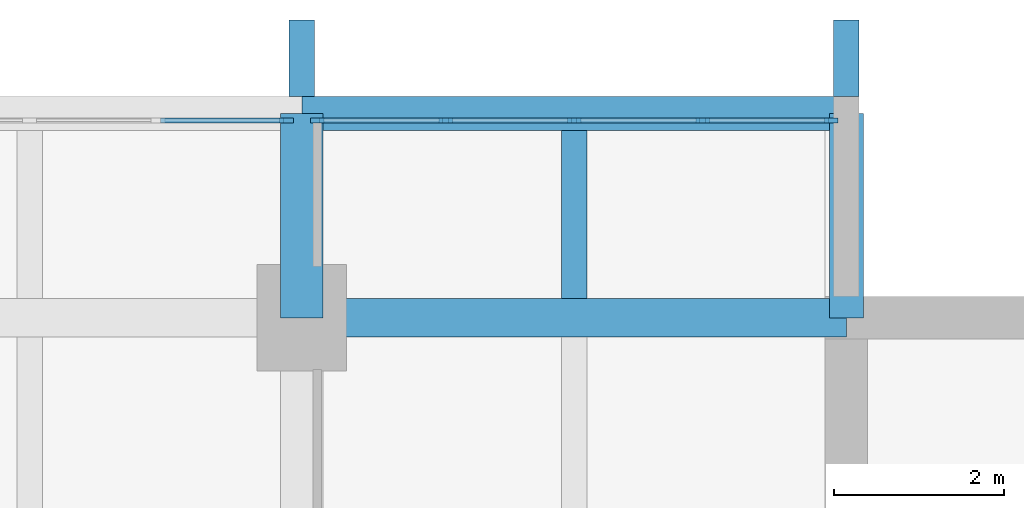
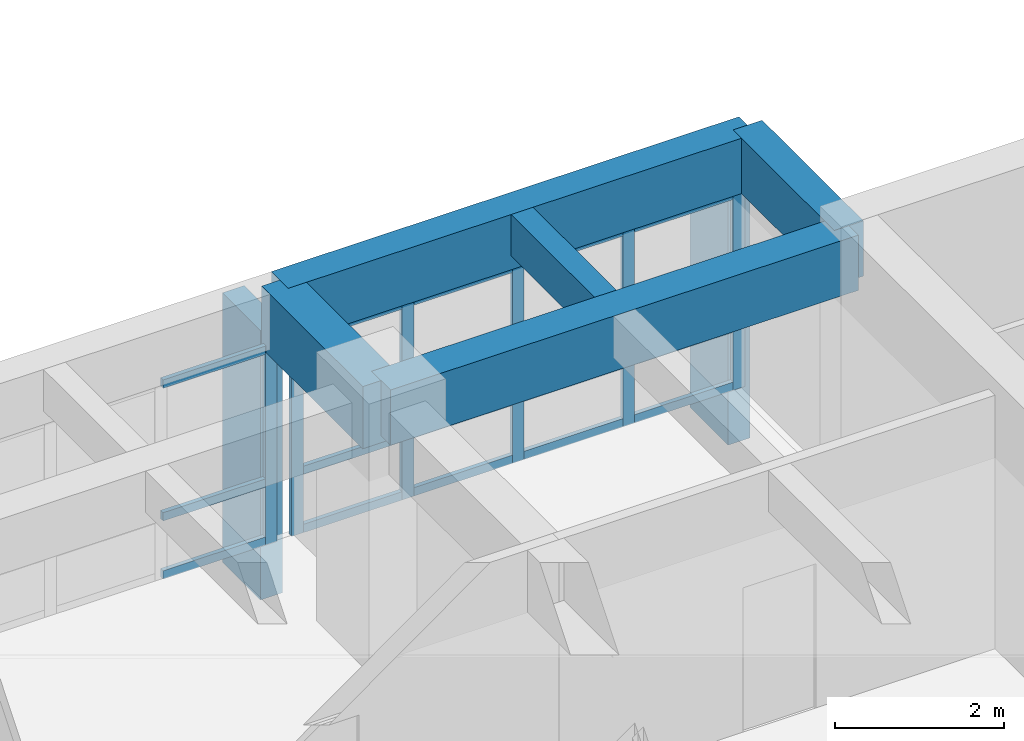
# One storey, part 6 of 19: 23 members, 5 beams, 2 elements without a shape of their own.
"""IFC4 building model written with IfcOpenShell, lengths in metres."""

from ifc_helpers import new_model, si_unit, direction, frame, origin, origin_2d, place, context, subcontext, project, spatial, rectangle, extrude, material, layer, layer_set, material_profile, profile_set, type_object, element, aggregate, save


model = new_model("IFC4")

# Units and contexts
model_context = context("Model", 3, precision=1e-05, world=origin(), true_north=direction((0.0, 1.0)))
body_context = subcontext(model_context, "Body", "Model", "MODEL_VIEW")
ifc_project = project(units=[si_unit("LENGTHUNIT", "METRE"), si_unit("AREAUNIT", "SQUARE_METRE"), si_unit("VOLUMEUNIT", "CUBIC_METRE"), si_unit("PLANEANGLEUNIT", "RADIAN"), si_unit("MASSUNIT", "GRAM", prefix="KILO")], contexts=[model_context])

# Site, building, storey
site_placement = place(None, origin())
site = spatial("IfcSite", under=ifc_project, at=site_placement, CompositionType="ELEMENT")
building_placement = place(site_placement, origin())
building = spatial("IfcBuilding", under=site, at=building_placement, Name="Fogon Plaza Fire Station and Headquarters Tower", CompositionType="ELEMENT")
storey_placement = place(building_placement, frame((0.0, 0.0, 21.0)))
storey = spatial("IfcBuildingStorey", under=building, at=storey_placement, Name="L05", CompositionType="ELEMENT", Elevation=21.0)

# Beams
ifc_material_1 = material(Name="Concrete C40", Category="concrete")
ifc_material_profile_1 = material_profile(ifc_material_1, rectangle(XDim=0.39990234375, YDim=0.800048828125, at=origin_2d()), Name="RC 400x800")
ifc_profile_set_1 = profile_set([ifc_material_profile_1], Name="Concrete C40")
beam_type_1 = type_object("IfcBeamType", Name="BEAM RC 400x800", PredefinedType="BEAM", material=ifc_profile_set_1)
beam_1_placement = place(storey_placement, frame((57.60009765625, 55.199951171875, 3.280029296875), z_axis=(1.0, 0.0, 0.0), x_axis=(0.0, 1.0, 0.0)))
element("IfcBeam", 1, at=beam_1_placement, inside=storey, type_object=beam_type_1, Name="beam-L05-050", PredefinedType="BEAM", context=body_context, shape_type="SweptSolid", body=[
    extrude(rectangle(XDim=0.39990234375, YDim=0.800048828125, at=origin_2d()), origin(), (0.0, 0.0, 1.0), 6.39990234375),
])
ifc_material_2 = material(Name="Concrete C40", Category="concrete")
ifc_material_profile_2 = material_profile(ifc_material_2, rectangle(XDim=0.39990234375, YDim=0.800048828125, at=origin_2d()), Name="RC 400x800")
ifc_profile_set_2 = profile_set([ifc_material_profile_2], Name="Concrete C40")
beam_type_2 = type_object("IfcBeamType", Name="BEAM RC 400x800 SPAN 0.0 TO 3.0 M", PredefinedType="BEAM", material=ifc_profile_set_2)
beam_2_placement = place(storey_placement, frame((64.0, 52.800048828125, 3.280029296875), z_axis=(0.0, 1.0, 0.0), x_axis=(-1.0, 0.0, 0.0)))
element("IfcBeam", 2, at=beam_2_placement, inside=storey, type_object=beam_type_2, Name="beam-L05-054", PredefinedType="BEAM", context=body_context, shape_type="SweptSolid", body=[
    extrude(rectangle(XDim=0.39990234375, YDim=0.800048828125, at=origin_2d()), origin(), (0.0, 0.0, 1.0), 2.39990234375),
])
ifc_material_3 = material(Name="Concrete C40", Category="concrete")
ifc_material_profile_3 = material_profile(ifc_material_3, rectangle(XDim=0.449951171875, YDim=0.800048828125, at=origin_2d()), Name="RC 450x800")
ifc_profile_set_3 = profile_set([ifc_material_profile_3], Name="Concrete C40")
beam_type_3 = type_object("IfcBeamType", Name="BEAM RC 450x800", PredefinedType="BEAM", material=ifc_profile_set_3)
beam_3_placement = place(storey_placement, frame((57.60009765625, 52.800048828125, 3.280029296875), z_axis=(1.0, 0.0, 0.0), x_axis=(0.0, 1.0, 0.0)))
element("IfcBeam", 3, at=beam_3_placement, inside=storey, type_object=beam_type_3, Name="beam-L05-038", PredefinedType="BEAM", context=body_context, shape_type="SweptSolid", body=[
    extrude(rectangle(XDim=0.449951171875, YDim=0.800048828125, at=origin_2d()), origin(), (0.0, 0.0, 1.0), 6.39990234375),
])
ifc_material_4 = material(Name="Concrete C40", Category="concrete")
ifc_material_profile_4 = material_profile(ifc_material_4, rectangle(XDim=0.5, YDim=0.89990234375, at=origin_2d()), Name="RC 500x900")
ifc_profile_set_4 = profile_set([ifc_material_profile_4], Name="Concrete C40")
beam_type_4 = type_object("IfcBeamType", Name="BEAM RC 500x900 SPAN 0.0 TO 3.0 M", PredefinedType="BEAM", material=ifc_profile_set_4)
beam_4_placement = place(storey_placement, frame((57.60009765625, 52.800048828125, 3.22998046875), z_axis=(0.0, 1.0, 0.0), x_axis=(-1.0, 0.0, 0.0)))
element("IfcBeam", 4, at=beam_4_placement, inside=storey, type_object=beam_type_4, Name="beam-L05-020", PredefinedType="BEAM", context=body_context, shape_type="SweptSolid", body=[
    extrude(rectangle(XDim=0.5, YDim=0.89990234375, at=origin_2d()), origin(), (0.0, 0.0, 1.0), 2.39990234375),
])

# Curtain wall, member
ifc_material_5 = material(Name="Aluminium and glass", Category="aluminium")
ifc_layer = layer(ifc_material_5, 0.14990234375)
ifc_layer_set = layer_set([ifc_layer], Name="Aluminium and glass")
curtain_wall_type = type_object("IfcCurtainWallType", Name="Unitised Curtain Wall Run 6100x2880", PredefinedType="NOTDEFINED", material=ifc_layer_set)
curtain_wall_1_placement = place(storey_placement, origin())
curtain_wall_1 = element("IfcCurtainWall", 5, at=curtain_wall_1_placement, inside=storey, type_object=curtain_wall_type, Name="CW-6100x2880 N5 L05", PredefinedType="NOTDEFINED")
ifc_material_6 = material(Name="Aluminium", Category="aluminium")
ifc_material_profile_5 = material_profile(ifc_material_6, rectangle(XDim=0.06005859375, YDim=0.159912109375, at=origin_2d()), Name="Curtain Wall Mullion 60x160")
ifc_profile_set_5 = profile_set([ifc_material_profile_5], Name="Aluminium")
member_type_1 = type_object("IfcMemberType", Name="Curtain Wall Mullion 60x160", PredefinedType="MULLION", material=ifc_profile_set_5)
member_1_placement = place(storey_placement, frame((57.419921875, 55.1201171875, 0.0), z_axis=(0.0, 0.0, 1.0), x_axis=(0.0, 1.0, 0.0)))
member_1 = element("IfcMember", 6, at=member_1_placement, type_object=member_type_1, Name="CW-6100x2880 mullion 5", PredefinedType="MULLION", context=body_context, shape_type="SweptSolid", body=[
    extrude(rectangle(XDim=0.06005859375, YDim=0.159912109375, at=origin_2d()), origin(), (0.0, 0.0, 1.0), 2.8798828125),
])

# Curtain wall, members
curtain_wall_2_placement = place(storey_placement, origin())
curtain_wall_2 = element("IfcCurtainWall", 7, at=curtain_wall_2_placement, inside=storey, type_object=curtain_wall_type, Name="CW-6100x2880 N6 L05", PredefinedType="NOTDEFINED")
member_2_placement = place(storey_placement, frame((57.780029296875, 55.1201171875, 0.0), z_axis=(0.0, 0.0, 1.0), x_axis=(0.0, 1.0, 0.0)))
member_2 = element("IfcMember", 8, at=member_2_placement, type_object=member_type_1, Name="CW-6100x2880 mullion 1", PredefinedType="MULLION", context=body_context, shape_type="SweptSolid", body=[
    extrude(rectangle(XDim=0.06005859375, YDim=0.159912109375, at=origin_2d()), origin(), (0.0, 0.0, 1.0), 2.8798828125),
])
member_3_placement = place(storey_placement, frame((59.2900390625, 55.1201171875, 0.0), z_axis=(0.0, 0.0, 1.0), x_axis=(0.0, 1.0, 0.0)))
member_3 = element("IfcMember", 9, at=member_3_placement, type_object=member_type_1, Name="CW-6100x2880 mullion 2", PredefinedType="MULLION", context=body_context, shape_type="SweptSolid", body=[
    extrude(rectangle(XDim=0.06005859375, YDim=0.159912109375, at=origin_2d()), origin(), (0.0, 0.0, 1.0), 2.8798828125),
])
member_4_placement = place(storey_placement, frame((60.800048828125, 55.1201171875, 0.0), z_axis=(0.0, 0.0, 1.0), x_axis=(0.0, 1.0, 0.0)))
member_4 = element("IfcMember", 10, at=member_4_placement, type_object=member_type_1, Name="CW-6100x2880 mullion 3", PredefinedType="MULLION", context=body_context, shape_type="SweptSolid", body=[
    extrude(rectangle(XDim=0.06005859375, YDim=0.159912109375, at=origin_2d()), origin(), (0.0, 0.0, 1.0), 2.8798828125),
])
member_5_placement = place(storey_placement, frame((62.31005859375, 55.1201171875, 0.0), z_axis=(0.0, 0.0, 1.0), x_axis=(0.0, 1.0, 0.0)))
member_5 = element("IfcMember", 11, at=member_5_placement, type_object=member_type_1, Name="CW-6100x2880 mullion 4", PredefinedType="MULLION", context=body_context, shape_type="SweptSolid", body=[
    extrude(rectangle(XDim=0.06005859375, YDim=0.159912109375, at=origin_2d()), origin(), (0.0, 0.0, 1.0), 2.8798828125),
])
member_6_placement = place(storey_placement, frame((63.820068359375, 55.1201171875, 0.0), z_axis=(0.0, 0.0, 1.0), x_axis=(0.0, 1.0, 0.0)))
member_6 = element("IfcMember", 12, at=member_6_placement, type_object=member_type_1, Name="CW-6100x2880 mullion 5", PredefinedType="MULLION", context=body_context, shape_type="SweptSolid", body=[
    extrude(rectangle(XDim=0.06005859375, YDim=0.159912109375, at=origin_2d()), origin(), (0.0, 0.0, 1.0), 2.8798828125),
])

# Member
ifc_material_7 = material(Name="Aluminium", Category="aluminium")
ifc_material_profile_6 = material_profile(ifc_material_7, rectangle(XDim=0.06005859375, YDim=0.1201171875, at=origin_2d()), Name="Curtain Wall Transom 60x120")
ifc_profile_set_6 = profile_set([ifc_material_profile_6], Name="Aluminium")
member_type_2 = type_object("IfcMemberType", Name="Curtain Wall Transom 60x120", PredefinedType="USERDEFINED", material=ifc_profile_set_6)
member_7_placement = place(storey_placement, frame((55.93994140625, 55.1201171875, 0.06005859375), z_axis=(1.0, 0.0, 0.0), x_axis=(0.0, 1.0, 0.0)))
member_7 = element("IfcMember", 13, at=member_7_placement, type_object=member_type_2, Name="CW-6100x2880 transom 4.1", ObjectType="TRANSOM", PredefinedType="USERDEFINED", context=body_context, shape_type="SweptSolid", body=[
    extrude(rectangle(XDim=0.06005859375, YDim=0.1201171875, at=origin_2d()), origin(), (0.0, 0.0, 1.0), 1.449951171875),
])

member_8_placement = place(storey_placement, frame((55.93994140625, 55.1201171875, 0.89990234375), z_axis=(1.0, 0.0, 0.0), x_axis=(0.0, 1.0, 0.0)))
member_8 = element("IfcMember", 14, at=member_8_placement, type_object=member_type_2, Name="CW-6100x2880 transom 4.2", ObjectType="TRANSOM", PredefinedType="USERDEFINED", context=body_context, shape_type="SweptSolid", body=[
    extrude(rectangle(XDim=0.06005859375, YDim=0.1201171875, at=origin_2d()), origin(), (0.0, 0.0, 1.0), 1.449951171875),
])

member_9_placement = place(storey_placement, frame((55.93994140625, 55.1201171875, 2.820068359375), z_axis=(1.0, 0.0, 0.0), x_axis=(0.0, 1.0, 0.0)))
member_9 = element("IfcMember", 15, at=member_9_placement, type_object=member_type_2, Name="CW-6100x2880 transom 4.3", ObjectType="TRANSOM", PredefinedType="USERDEFINED", context=body_context, shape_type="SweptSolid", body=[
    extrude(rectangle(XDim=0.06005859375, YDim=0.1201171875, at=origin_2d()), origin(), (0.0, 0.0, 1.0), 1.449951171875),
])

aggregate(curtain_wall_1, [member_1, member_7, member_8, member_9])

member_10_placement = place(storey_placement, frame((57.81005859375, 55.1201171875, 0.06005859375), z_axis=(1.0, 0.0, 0.0), x_axis=(0.0, 1.0, 0.0)))
member_10 = element("IfcMember", 16, at=member_10_placement, type_object=member_type_2, Name="CW-6100x2880 transom 1.1", ObjectType="TRANSOM", PredefinedType="USERDEFINED", context=body_context, shape_type="SweptSolid", body=[
    extrude(rectangle(XDim=0.06005859375, YDim=0.1201171875, at=origin_2d()), origin(), (0.0, 0.0, 1.0), 1.449951171875),
])

member_11_placement = place(storey_placement, frame((57.81005859375, 55.1201171875, 0.89990234375), z_axis=(1.0, 0.0, 0.0), x_axis=(0.0, 1.0, 0.0)))
member_11 = element("IfcMember", 17, at=member_11_placement, type_object=member_type_2, Name="CW-6100x2880 transom 1.2", ObjectType="TRANSOM", PredefinedType="USERDEFINED", context=body_context, shape_type="SweptSolid", body=[
    extrude(rectangle(XDim=0.06005859375, YDim=0.1201171875, at=origin_2d()), origin(), (0.0, 0.0, 1.0), 1.449951171875),
])

member_12_placement = place(storey_placement, frame((57.81005859375, 55.1201171875, 2.820068359375), z_axis=(1.0, 0.0, 0.0), x_axis=(0.0, 1.0, 0.0)))
member_12 = element("IfcMember", 18, at=member_12_placement, type_object=member_type_2, Name="CW-6100x2880 transom 1.3", ObjectType="TRANSOM", PredefinedType="USERDEFINED", context=body_context, shape_type="SweptSolid", body=[
    extrude(rectangle(XDim=0.06005859375, YDim=0.1201171875, at=origin_2d()), origin(), (0.0, 0.0, 1.0), 1.449951171875),
])

member_13_placement = place(storey_placement, frame((59.320068359375, 55.1201171875, 0.06005859375), z_axis=(1.0, 0.0, 0.0), x_axis=(0.0, 1.0, 0.0)))
member_13 = element("IfcMember", 19, at=member_13_placement, type_object=member_type_2, Name="CW-6100x2880 transom 2.1", ObjectType="TRANSOM", PredefinedType="USERDEFINED", context=body_context, shape_type="SweptSolid", body=[
    extrude(rectangle(XDim=0.06005859375, YDim=0.1201171875, at=origin_2d()), origin(), (0.0, 0.0, 1.0), 1.449951171875),
])

member_14_placement = place(storey_placement, frame((59.320068359375, 55.1201171875, 0.89990234375), z_axis=(1.0, 0.0, 0.0), x_axis=(0.0, 1.0, 0.0)))
member_14 = element("IfcMember", 20, at=member_14_placement, type_object=member_type_2, Name="CW-6100x2880 transom 2.2", ObjectType="TRANSOM", PredefinedType="USERDEFINED", context=body_context, shape_type="SweptSolid", body=[
    extrude(rectangle(XDim=0.06005859375, YDim=0.1201171875, at=origin_2d()), origin(), (0.0, 0.0, 1.0), 1.449951171875),
])

member_15_placement = place(storey_placement, frame((59.320068359375, 55.1201171875, 2.820068359375), z_axis=(1.0, 0.0, 0.0), x_axis=(0.0, 1.0, 0.0)))
member_15 = element("IfcMember", 21, at=member_15_placement, type_object=member_type_2, Name="CW-6100x2880 transom 2.3", ObjectType="TRANSOM", PredefinedType="USERDEFINED", context=body_context, shape_type="SweptSolid", body=[
    extrude(rectangle(XDim=0.06005859375, YDim=0.1201171875, at=origin_2d()), origin(), (0.0, 0.0, 1.0), 1.449951171875),
])

member_16_placement = place(storey_placement, frame((60.830078125, 55.1201171875, 0.06005859375), z_axis=(1.0, 0.0, 0.0), x_axis=(0.0, 1.0, 0.0)))
member_16 = element("IfcMember", 22, at=member_16_placement, type_object=member_type_2, Name="CW-6100x2880 transom 3.1", ObjectType="TRANSOM", PredefinedType="USERDEFINED", context=body_context, shape_type="SweptSolid", body=[
    extrude(rectangle(XDim=0.06005859375, YDim=0.1201171875, at=origin_2d()), origin(), (0.0, 0.0, 1.0), 1.449951171875),
])

member_17_placement = place(storey_placement, frame((60.830078125, 55.1201171875, 0.89990234375), z_axis=(1.0, 0.0, 0.0), x_axis=(0.0, 1.0, 0.0)))
member_17 = element("IfcMember", 23, at=member_17_placement, type_object=member_type_2, Name="CW-6100x2880 transom 3.2", ObjectType="TRANSOM", PredefinedType="USERDEFINED", context=body_context, shape_type="SweptSolid", body=[
    extrude(rectangle(XDim=0.06005859375, YDim=0.1201171875, at=origin_2d()), origin(), (0.0, 0.0, 1.0), 1.449951171875),
])

member_18_placement = place(storey_placement, frame((60.830078125, 55.1201171875, 2.820068359375), z_axis=(1.0, 0.0, 0.0), x_axis=(0.0, 1.0, 0.0)))
member_18 = element("IfcMember", 24, at=member_18_placement, type_object=member_type_2, Name="CW-6100x2880 transom 3.3", ObjectType="TRANSOM", PredefinedType="USERDEFINED", context=body_context, shape_type="SweptSolid", body=[
    extrude(rectangle(XDim=0.06005859375, YDim=0.1201171875, at=origin_2d()), origin(), (0.0, 0.0, 1.0), 1.449951171875),
])

member_19_placement = place(storey_placement, frame((62.340087890625, 55.1201171875, 0.06005859375), z_axis=(1.0, 0.0, 0.0), x_axis=(0.0, 1.0, 0.0)))
member_19 = element("IfcMember", 25, at=member_19_placement, type_object=member_type_2, Name="CW-6100x2880 transom 4.1", ObjectType="TRANSOM", PredefinedType="USERDEFINED", context=body_context, shape_type="SweptSolid", body=[
    extrude(rectangle(XDim=0.06005859375, YDim=0.1201171875, at=origin_2d()), origin(), (0.0, 0.0, 1.0), 1.449951171875),
])

member_20_placement = place(storey_placement, frame((62.340087890625, 55.1201171875, 0.89990234375), z_axis=(1.0, 0.0, 0.0), x_axis=(0.0, 1.0, 0.0)))
member_20 = element("IfcMember", 26, at=member_20_placement, type_object=member_type_2, Name="CW-6100x2880 transom 4.2", ObjectType="TRANSOM", PredefinedType="USERDEFINED", context=body_context, shape_type="SweptSolid", body=[
    extrude(rectangle(XDim=0.06005859375, YDim=0.1201171875, at=origin_2d()), origin(), (0.0, 0.0, 1.0), 1.449951171875),
])

member_21_placement = place(storey_placement, frame((62.340087890625, 55.1201171875, 2.820068359375), z_axis=(1.0, 0.0, 0.0), x_axis=(0.0, 1.0, 0.0)))
member_21 = element("IfcMember", 27, at=member_21_placement, type_object=member_type_2, Name="CW-6100x2880 transom 4.3", ObjectType="TRANSOM", PredefinedType="USERDEFINED", context=body_context, shape_type="SweptSolid", body=[
    extrude(rectangle(XDim=0.06005859375, YDim=0.1201171875, at=origin_2d()), origin(), (0.0, 0.0, 1.0), 1.449951171875),
])

aggregate(curtain_wall_2, [member_2, member_3, member_4, member_5, member_6, member_10, member_11, member_12, member_13, member_14, member_15, member_16, member_17, member_18, member_19, member_20, member_21])

# Beam
ifc_material_8 = material(Name="Concrete C40", Category="concrete")
ifc_material_profile_7 = material_profile(ifc_material_8, rectangle(XDim=0.300048828125, YDim=0.60009765625, at=origin_2d()), Name="RC 300x600")
ifc_profile_set_7 = profile_set([ifc_material_profile_7], Name="Concrete C40")
beam_type_5 = type_object("IfcBeamType", Name="JOIST RC 300x600 SPAN 0.0 TO 3.0 M", PredefinedType="JOIST", material=ifc_profile_set_7)
beam_5_placement = place(storey_placement, frame((60.800048828125, 53.02490234375, 3.3798828125), z_axis=(0.0, 1.0, 0.0), x_axis=(-1.0, 0.0, 0.0)))
element("IfcBeam", 28, at=beam_5_placement, inside=storey, type_object=beam_type_5, Name="beam-L05-078", PredefinedType="JOIST", context=body_context, shape_type="SweptSolid", body=[
    extrude(rectangle(XDim=0.300048828125, YDim=0.60009765625, at=origin_2d()), origin(), (0.0, 0.0, 1.0), 1.97509765625),
])

# Members
ifc_material_9 = material(Name="Concrete C40 precast", Category="concrete")
ifc_material_profile_8 = material_profile(ifc_material_9, rectangle(XDim=0.300048828125, YDim=0.89990234375, at=origin_2d()), Name="Precast Concrete Post 300x900")
ifc_profile_set_8 = profile_set([ifc_material_profile_8], Name="Concrete C40 precast")
member_type_3 = type_object("IfcMemberType", Name="Precast Concrete Post 300x900", PredefinedType="POST", material=ifc_profile_set_8)
for number, where, z_axis, x_axis, name in (
    (29, (57.60009765625, 55.85009765625, -1.02001953125), (0.0, 0.0, 1.0), (1.0, 0.0, 0.0), "Precast Post N L05"),
    (30, (64.0, 55.85009765625, -1.02001953125), (0.0, 0.0, 1.0), (1.0, 0.0, 0.0), "Precast Post N L05"),
):
    element("IfcMember", number, at=place(storey_placement, frame(where, z_axis=z_axis, x_axis=x_axis)), inside=storey, type_object=member_type_3, Name=name, PredefinedType="POST", context=body_context, shape_type="SweptSolid", body=[
        extrude(rectangle(XDim=0.300048828125, YDim=0.89990234375, at=origin_2d()), origin(), (0.0, 0.0, 1.0), 3.89990234375),
    ])

save(model, "model.ifc")
